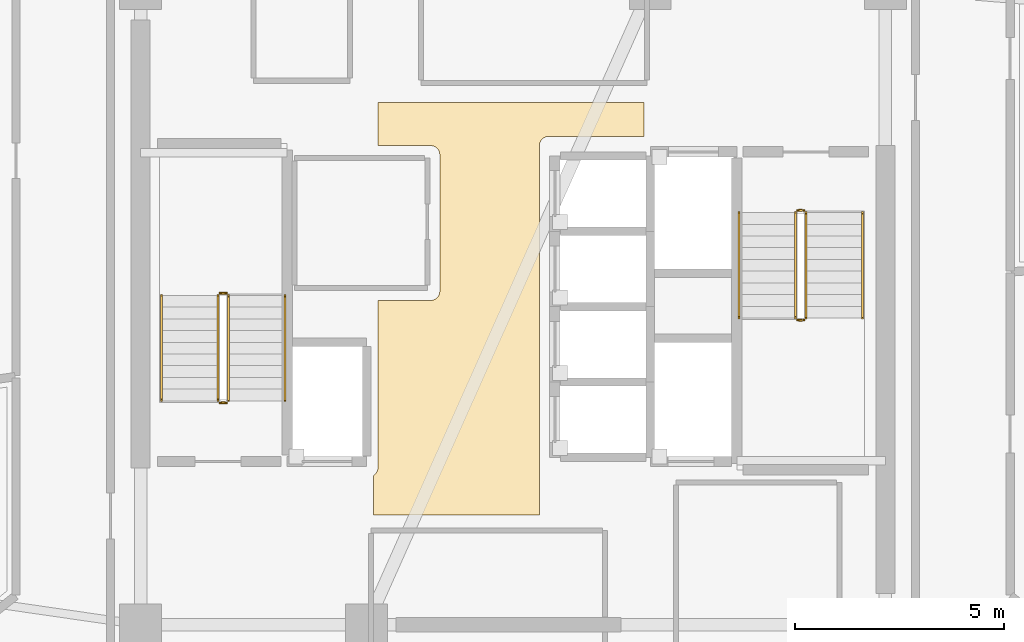
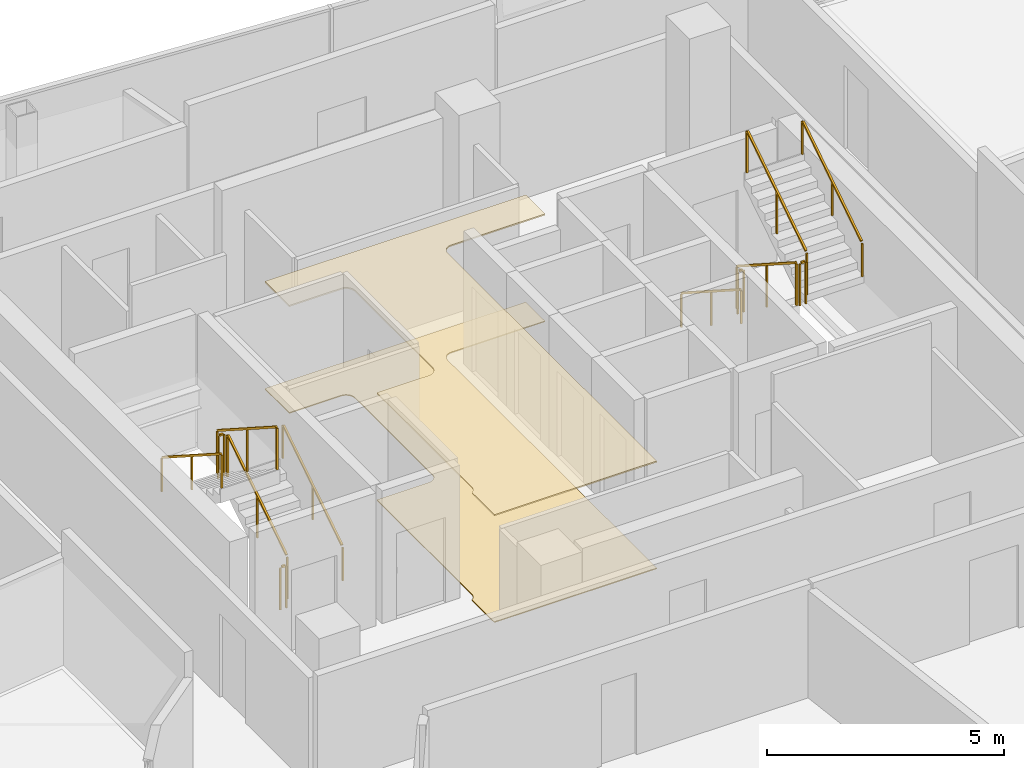
# One storey, part 13 of 14: 12 railings, 2 coverings.
"""IFC4 building model written with IfcOpenShell, lengths in metres."""

import ifcopenshell
import ifcopenshell.guid

model = None  # the IFC model being written
_history = None  # IfcOwnerHistory: only IFC2X3 demands one
_inside = {}  # id of a spatial element -> (the spatial element, [elements in it])
_under = {}  # id of a project, library or spatial element -> (it, [spatial elements below it])
_declared = {}  # id of a project -> (the project, [libraries it declares])
_typed = {}  # id of a type object -> (the type object, [elements of that type])
_made_of = {}  # id of a material, layer set ... -> (it, [elements and type objects made of it])


def new_model(schema):
    """Start an empty IFC model of exactly this schema.

    Asked for "IFC4X3", IfcOpenShell would pick the latest addendum, in which some entities
    have other attributes; the version numbers below select the first issue.
    IFC2X3 requires an IfcOwnerHistory on every rooted entity: one is made here for all.
    """
    global model, _history
    if schema == "IFC4X3":
        model = ifcopenshell.file(schema_version=(4, 3, 0, 0))
    else:
        model = ifcopenshell.file(schema=schema)
    _inside.clear()
    _under.clear()
    _declared.clear()
    _typed.clear()
    _made_of.clear()
    _history = None
    if model.schema == "IFC2X3":
        org = make("IfcOrganization", Name="unknown")
        user = make(
            "IfcPersonAndOrganization",
            ThePerson=make("IfcPerson", FamilyName="unknown"),
            TheOrganization=org,
        )
        app = make(
            "IfcApplication",
            ApplicationDeveloper=org,
            Version="unknown",
            ApplicationFullName="unknown",
            ApplicationIdentifier="unknown",
        )
        _history = make(
            "IfcOwnerHistory",
            OwningUser=user,
            OwningApplication=app,
            ChangeAction="ADDED",
            CreationDate=0,
        )
    return model


def make(cls, **values):
    """One entity of the class cls with the attributes given. An attribute that is None is left unset."""
    return model.create_entity(
        cls, **{name: value for name, value in values.items() if value is not None}
    )


def rooted(cls, **values):
    """An entity with a GlobalId (a new one), such as an element, a storey or a relation."""
    return make(cls, GlobalId=ifcopenshell.guid.new(), OwnerHistory=_history, **values)


def si_unit(unit_type, name, prefix=None):
    """IfcSIUnit, for example si_unit("LENGTHUNIT", "METRE", prefix="MILLI")."""
    return make("IfcSIUnit", UnitType=unit_type, Prefix=prefix, Name=name)


def assignment(units):
    """IfcUnitAssignment: the units of a project."""
    return None if units is None else make("IfcUnitAssignment", Units=units)


def point(xyz):
    """IfcCartesianPoint."""
    return None if xyz is None else make("IfcCartesianPoint", Coordinates=xyz)


def direction(xyz):
    """IfcDirection."""
    return None if xyz is None else make("IfcDirection", DirectionRatios=xyz)


def frame(location, z_axis=None, x_axis=None):
    """IfcAxis2Placement3D, a coordinate frame: its origin and axes. An axis left out is left unset."""
    return make(
        "IfcAxis2Placement3D",
        Location=point(location),
        Axis=direction(z_axis),
        RefDirection=direction(x_axis),
    )


def frame_2d(location, x_axis=None):
    """IfcAxis2Placement2D, a coordinate frame in the plane: its origin and x axis."""
    return make(
        "IfcAxis2Placement2D", Location=point(location), RefDirection=direction(x_axis)
    )


def origin():
    """The frame at (0, 0, 0) with its axes left unset."""
    return frame((0.0, 0.0, 0.0))


def origin_2d():
    """The frame at (0, 0) in the plane with its x axis left unset."""
    return frame_2d((0.0, 0.0))


def place(relative_to, where):
    """IfcLocalPlacement: puts the frame where relative to a parent placement (None: the world)."""
    return make(
        "IfcLocalPlacement", PlacementRelTo=relative_to, RelativePlacement=where
    )


def context(
    kind, dimensions, precision=None, world=None, true_north=None, identifier=None
):
    """IfcGeometricRepresentationContext, for example the 3D "Model" context."""
    return make(
        "IfcGeometricRepresentationContext",
        ContextIdentifier=identifier,
        ContextType=kind,
        CoordinateSpaceDimension=dimensions,
        Precision=precision,
        WorldCoordinateSystem=world,
        TrueNorth=true_north,
    )


def subcontext(parent, identifier, kind, view, scale=None):
    """IfcGeometricRepresentationSubContext, for example "Body" below "Model"."""
    return make(
        "IfcGeometricRepresentationSubContext",
        ContextIdentifier=identifier,
        ContextType=kind,
        ParentContext=parent,
        TargetScale=scale,
        TargetView=view,
    )


def project(units=None, contexts=None):
    """IfcProject with its units and contexts."""
    return rooted(
        "IfcProject",
        Name="project",
        RepresentationContexts=contexts,
        UnitsInContext=assignment(units),
    )


def spatial(cls, under=None, at=None, **own):
    """A site, building, storey or space (cls), placed at a placement, below another one or the project."""
    s = rooted(cls, ObjectPlacement=at, **own)
    if under is not None:
        _under.setdefault(under.id(), (under, []))[1].append(s)
    return s


def polyline(points):
    """IfcPolyline through the points."""
    return make("IfcPolyline", Points=[point(p) for p in points])


def profile(cls, at=None, kind="AREA", **sizes):
    """A parametric profile (cls). Its sizes go by their IFC names, for example OverallWidth=200.0."""
    return make(cls, ProfileType=kind, Position=at, **sizes)


def rectangle(**sizes):
    """IfcRectangleProfileDef."""
    return profile("IfcRectangleProfileDef", **sizes)


def outline(outer, holes=None, kind="AREA"):
    """IfcArbitraryClosedProfileDef: a profile drawn as a closed curve; with holes, ...WithVoids."""
    if holes is None:
        return make("IfcArbitraryClosedProfileDef", ProfileType=kind, OuterCurve=outer)
    return make(
        "IfcArbitraryProfileDefWithVoids",
        ProfileType=kind,
        OuterCurve=outer,
        InnerCurves=holes,
    )


def extrude(swept, where, along, depth):
    """IfcExtrudedAreaSolid: the profile swept, set in the frame where, extruded along a direction by depth."""
    return make(
        "IfcExtrudedAreaSolid",
        SweptArea=swept,
        Position=where,
        ExtrudedDirection=direction(along),
        Depth=depth,
    )


def shape(context_of_items, identifier, shape_type, items):
    """IfcShapeRepresentation: the items that make up one representation, for example the "Body"."""
    return make(
        "IfcShapeRepresentation",
        ContextOfItems=context_of_items,
        RepresentationIdentifier=identifier,
        RepresentationType=shape_type,
        Items=items,
    )


def material(Name=None, Category=None):
    """IfcMaterial."""
    return make("IfcMaterial", Name=Name, Category=Category)


def layer(
    of_material, thickness, ventilated=None, Name=None, Category=None, Priority=None
):
    """IfcMaterialLayer: one layer of a wall or slab, of a material (None: an air gap)."""
    return make(
        "IfcMaterialLayer",
        Material=of_material,
        LayerThickness=thickness,
        IsVentilated=ventilated,
        Name=Name,
        Category=Category,
        Priority=Priority,
    )


def layer_set(layers, Name=None):
    """IfcMaterialLayerSet."""
    return make("IfcMaterialLayerSet", MaterialLayers=layers, LayerSetName=Name)


def made_of(thing, what):
    """Note that an element or type object is made of a material, layer set ...; save() writes the relation."""
    if what is not None:
        _made_of.setdefault(what.id(), (what, []))[1].append(thing)
    return thing


def type_object(cls, material=None, **own):
    """A type object (cls), such as IfcWallType, which elements share."""
    return made_of(rooted(cls, **own), material)


def element(
    cls,
    number,
    at=None,
    inside=None,
    cuts=None,
    type_object=None,
    material=None,
    context=None,
    identifier="Body",
    shape_type=None,
    held_by="IfcProductDefinitionShape",
    body=None,
    shapes=None,
    **own,
):
    """One element of the class cls, such as IfcWall. Its Tag is "e" and its number.

    at: its placement. inside: the storey or other place that contains it. cuts: it is an
    opening in that element (IfcRelVoidsElement). A single representation is given by context,
    identifier, shape_type and body (its items); several are given by shapes. held_by: the class
    of the entity that holds the representations. save() writes the other relations.
    """
    e = rooted(cls, Tag="e%d" % number, ObjectPlacement=at, **own)
    if body is not None:
        shapes = [shape(context, identifier, shape_type, body)]
    if shapes is not None:
        e.Representation = make(held_by, Representations=shapes)
    if inside is not None:
        _inside.setdefault(inside.id(), (inside, []))[1].append(e)
    if cuts is not None:
        rooted(
            "IfcRelVoidsElement", RelatingBuildingElement=cuts, RelatedOpeningElement=e
        )
    if type_object is not None:
        _typed.setdefault(type_object.id(), (type_object, []))[1].append(e)
    return made_of(e, material)


def aggregate(whole, parts):
    """IfcRelAggregates: a whole, such as a stair, and the parts it consists of."""
    return rooted("IfcRelAggregates", RelatingObject=whole, RelatedObjects=parts)


def save(model, path):
    """Write the relations noted so far, then the file.

    IfcRelAggregates (storeys below a building ...), IfcRelContainedInSpatialStructure (elements
    in a storey), IfcRelDefinesByType, IfcRelAssociatesMaterial and IfcRelDeclares: one each for
    every whole, place, type object, material and project.
    """
    for whole, parts in _under.values():
        aggregate(whole, parts)
    for where, things in _inside.values():
        rooted(
            "IfcRelContainedInSpatialStructure",
            RelatedElements=things,
            RelatingStructure=where,
        )
    for kind, things in _typed.values():
        rooted("IfcRelDefinesByType", RelatedObjects=things, RelatingType=kind)
    for what, things in _made_of.values():
        rooted("IfcRelAssociatesMaterial", RelatedObjects=things, RelatingMaterial=what)
    for by, libraries in _declared.values():
        rooted("IfcRelDeclares", RelatingContext=by, RelatedDefinitions=libraries)
    model.write(path)


model = new_model("IFC4")

# Units and contexts
model_context = context("Model", 3, precision=1e-05, world=origin(), true_north=direction((0.0, 1.0)))
body_context = subcontext(model_context, "Body", "Model", "MODEL_VIEW")
ifc_project = project(units=[si_unit("LENGTHUNIT", "METRE"), si_unit("AREAUNIT", "SQUARE_METRE"), si_unit("VOLUMEUNIT", "CUBIC_METRE"), si_unit("PLANEANGLEUNIT", "RADIAN"), si_unit("MASSUNIT", "GRAM", prefix="KILO")], contexts=[model_context])

# Site, building, storey
site_placement = place(None, origin())
site = spatial("IfcSite", under=ifc_project, at=site_placement, CompositionType="ELEMENT")
building_placement = place(site_placement, origin())
building = spatial("IfcBuilding", under=site, at=building_placement, Name="Tharavind Bronze Gate", CompositionType="ELEMENT")
storey_placement = place(building_placement, frame((0.0, 0.0, 245.050048828125)))
storey = spatial("IfcBuildingStorey", under=building, at=storey_placement, Name="L63", CompositionType="ELEMENT", Elevation=245.050048828125)

# Coverings
ifc_material_1 = material(Name="Perforated Bronze Acoustic Panel", Category="bronze")
ifc_layer_1 = layer(ifc_material_1, 0.044921875)
ifc_layer_set_1 = layer_set([ifc_layer_1], Name="Perforated Bronze Acoustic Panel")
covering_type_1 = type_object("IfcCoveringType", Name="ACOUSTIC BRONZE BAFFLE CEILING", PredefinedType="CEILING", material=ifc_layer_set_1)
covering_1_placement = place(storey_placement, frame((0.0, 0.0, 2.75)))
element("IfcCovering", 1, at=covering_1_placement, inside=storey, type_object=covering_type_1, Name="L63-C-LL suspended ceiling", PredefinedType="CEILING", context=body_context, shape_type="SweptSolid", body=[
    extrude(outline(polyline([(-3.330078125, -4.97998046875), (0.6298828125, -4.97998046875), (0.6298828125, 3.85009765625), (0.631103515625, 3.87158203125), (0.63427734375, 3.892822265625), (0.639404296875, 3.913818359375), (0.646728515625, 3.93408203125), (0.656005859375, 3.95361328125), (0.6669921875, 3.97216796875), (0.679931640625, 3.989501953125), (0.6943359375, 4.005615234375), (0.71044921875, 4.02001953125), (0.727783203125, 4.032958984375), (0.746337890625, 4.0439453125), (0.765869140625, 4.05322265625), (0.7861328125, 4.060546875), (0.80712890625, 4.06591796875), (0.828369140625, 4.06884765625), (0.85009765625, 4.070068359375), (3.1298828125, 4.070068359375), (3.1298828125, 4.8798828125), (-3.22998046875, 4.8798828125), (-3.22998046875, 3.85009765625), (-1.969970703125, 3.85009765625), (-1.948486328125, 3.848876953125), (-1.927001953125, 3.845703125), (-1.906005859375, 3.840576171875), (-1.8857421875, 3.833251953125), (-1.8662109375, 3.823974609375), (-1.847900390625, 3.81298828125), (-1.830322265625, 3.800048828125), (-1.814453125, 3.78564453125), (-1.7998046875, 3.76953125), (-1.787109375, 3.752197265625), (-1.77587890625, 3.733642578125), (-1.7666015625, 3.714111328125), (-1.759521484375, 3.69384765625), (-1.754150390625, 3.6728515625), (-1.751220703125, 3.651611328125), (-1.75, 3.6298828125), (-1.75, 0.3701171875), (-1.751220703125, 0.348388671875), (-1.754150390625, 0.3271484375), (-1.759521484375, 0.30615234375), (-1.7666015625, 0.285888671875), (-1.77587890625, 0.266357421875), (-1.787109375, 0.247802734375), (-1.7998046875, 0.23046875), (-1.814453125, 0.21435546875), (-1.830322265625, 0.199951171875), (-1.847900390625, 0.18701171875), (-1.8662109375, 0.176025390625), (-1.8857421875, 0.166748046875), (-1.906005859375, 0.159423828125), (-1.927001953125, 0.154296875), (-1.948486328125, 0.151123046875), (-1.969970703125, 0.14990234375), (-3.22998046875, 0.14990234375), (-3.22998046875, -3.85009765625), (-3.231201171875, -3.87158203125), (-3.234130859375, -3.892822265625), (-3.239501953125, -3.913818359375), (-3.24658203125, -3.93408203125), (-3.256103515625, -3.95361328125), (-3.26708984375, -3.97216796875), (-3.27978515625, -3.989501953125), (-3.29443359375, -4.005615234375), (-3.310302734375, -4.02001953125), (-3.327880859375, -4.032958984375), (-3.330078125, -4.0341796875), (-3.330078125, -4.97998046875)])), origin(), (0.0, 0.0, 1.0), 0.034912109375),
])
ifc_material_2 = material(Name="Honed Travertine Limestone", Category="masonry")
ifc_layer_2 = layer(ifc_material_2, 0.030029296875)
ifc_layer_set_2 = layer_set([ifc_layer_2], Name="Honed Travertine Limestone")
covering_type_2 = type_object("IfcCoveringType", Name="HONED LIMESTONE FLOORING", PredefinedType="FLOORING", material=ifc_layer_set_2)
covering_2_placement = place(storey_placement, origin())
element("IfcCovering", 2, at=covering_2_placement, inside=storey, type_object=covering_type_2, Name="L63-C-LL floor finish", PredefinedType="FLOORING", context=body_context, shape_type="SweptSolid", body=[
    extrude(outline(polyline([(-3.330078125, -4.97998046875), (0.6298828125, -4.97998046875), (0.6298828125, 3.85009765625), (0.631103515625, 3.87158203125), (0.63427734375, 3.892822265625), (0.639404296875, 3.913818359375), (0.646728515625, 3.93408203125), (0.656005859375, 3.95361328125), (0.6669921875, 3.97216796875), (0.679931640625, 3.989501953125), (0.6943359375, 4.005615234375), (0.71044921875, 4.02001953125), (0.727783203125, 4.032958984375), (0.746337890625, 4.0439453125), (0.765869140625, 4.05322265625), (0.7861328125, 4.060546875), (0.80712890625, 4.06591796875), (0.828369140625, 4.06884765625), (0.85009765625, 4.070068359375), (3.1298828125, 4.070068359375), (3.1298828125, 4.8798828125), (-3.22998046875, 4.8798828125), (-3.22998046875, 3.85009765625), (-1.969970703125, 3.85009765625), (-1.948486328125, 3.848876953125), (-1.927001953125, 3.845703125), (-1.906005859375, 3.840576171875), (-1.8857421875, 3.833251953125), (-1.8662109375, 3.823974609375), (-1.847900390625, 3.81298828125), (-1.830322265625, 3.800048828125), (-1.814453125, 3.78564453125), (-1.7998046875, 3.76953125), (-1.787109375, 3.752197265625), (-1.77587890625, 3.733642578125), (-1.7666015625, 3.714111328125), (-1.759521484375, 3.69384765625), (-1.754150390625, 3.6728515625), (-1.751220703125, 3.651611328125), (-1.75, 3.6298828125), (-1.75, 0.3701171875), (-1.751220703125, 0.348388671875), (-1.754150390625, 0.3271484375), (-1.759521484375, 0.30615234375), (-1.7666015625, 0.285888671875), (-1.77587890625, 0.266357421875), (-1.787109375, 0.247802734375), (-1.7998046875, 0.23046875), (-1.814453125, 0.21435546875), (-1.830322265625, 0.199951171875), (-1.847900390625, 0.18701171875), (-1.8662109375, 0.176025390625), (-1.8857421875, 0.166748046875), (-1.906005859375, 0.159423828125), (-1.927001953125, 0.154296875), (-1.948486328125, 0.151123046875), (-1.969970703125, 0.14990234375), (-3.22998046875, 0.14990234375), (-3.22998046875, -3.85009765625), (-3.231201171875, -3.87158203125), (-3.234130859375, -3.892822265625), (-3.239501953125, -3.913818359375), (-3.24658203125, -3.93408203125), (-3.256103515625, -3.95361328125), (-3.26708984375, -3.97216796875), (-3.27978515625, -3.989501953125), (-3.29443359375, -4.005615234375), (-3.310302734375, -4.02001953125), (-3.327880859375, -4.032958984375), (-3.330078125, -4.0341796875), (-3.330078125, -4.97998046875)])), origin(), (0.0, 0.0, 1.0), 0.02490234375),
])

# Railings
ifc_material_3 = material(Name="Brushed Bronze Alloy", Category="metal")
railing_type_1 = type_object("IfcRailingType", Name="STAIR BRONZE HANDRAIL 900", PredefinedType="HANDRAIL", material=ifc_material_3)
railing_1_placement = place(storey_placement, frame((-5.449951171875, -2.25, 0.179931640625)))
element("IfcRailing", 3, at=railing_1_placement, inside=storey, type_object=railing_type_1, Name="L63 ST1 stair handrail 1", PredefinedType="HANDRAIL", context=body_context, shape_type="SweptSolid", body=[
    extrude(rectangle(XDim=0.048095703125, YDim=0.048095703125, at=origin_2d()), frame((0.0, 0.02685546875, 0.89306640625), z_axis=(0.0, 0.841162588446, 0.540782303519), x_axis=(-1.0, 0.0, 0.0)), (0.0, 0.0, 1.0), 2.931884765625),
    extrude(rectangle(XDim=0.0400390625, YDim=0.0400390625, at=origin_2d()), origin(), (0.0, 0.0, 1.0), 0.847900390625),
    extrude(rectangle(XDim=0.0400390625, YDim=0.0400390625, at=origin_2d()), frame((0.0, 1.260009765625, 0.81005859375)), (0.0, 0.0, 1.0), 0.847900390625),
    extrude(rectangle(XDim=0.0400390625, YDim=0.0400390625, at=origin_2d()), frame((0.0, 2.52001953125, 1.6201171875)), (0.0, 0.0, 1.0), 0.847900390625),
])
railing_2_placement = place(storey_placement, frame((-8.39990234375, 0.27001953125, 1.97998046875)))
element("IfcRailing", 4, at=railing_2_placement, inside=storey, type_object=railing_type_1, Name="L63 ST1 stair handrail 2", PredefinedType="HANDRAIL", context=body_context, shape_type="SweptSolid", body=[
    extrude(rectangle(XDim=0.048095703125, YDim=0.048095703125, at=origin_2d()), frame((0.0, -0.02685546875, 0.89306640625), z_axis=(0.0, -0.841199657755, 0.540724639528), x_axis=(1.0, 0.0, 0.0)), (0.0, 0.0, 1.0), 2.931640625),
    extrude(rectangle(XDim=0.0400390625, YDim=0.0400390625, at=origin_2d()), origin(), (0.0, 0.0, 1.0), 0.847900390625),
    extrude(rectangle(XDim=0.0400390625, YDim=0.0400390625, at=origin_2d()), frame((0.0, -1.260009765625, 0.81005859375)), (0.0, 0.0, 1.0), 0.847900390625),
    extrude(rectangle(XDim=0.0400390625, YDim=0.0400390625, at=origin_2d()), frame((0.0, -2.52001953125, 1.619873046875)), (0.0, 0.0, 1.0), 0.847900390625),
])
railing_3_placement = place(storey_placement, frame((5.39990234375, 2.25, 0.179931640625)))
element("IfcRailing", 5, at=railing_3_placement, inside=storey, type_object=railing_type_1, Name="L63 ST2 stair handrail 1", PredefinedType="HANDRAIL", context=body_context, shape_type="SweptSolid", body=[
    extrude(rectangle(XDim=0.048095703125, YDim=0.048095703125, at=origin_2d()), frame((0.0, -0.02685546875, 0.89306640625), z_axis=(0.0, -0.841162588446, 0.540782303519), x_axis=(1.0, 0.0, 0.0)), (0.0, 0.0, 1.0), 2.931884765625),
    extrude(rectangle(XDim=0.0400390625, YDim=0.0400390625, at=origin_2d()), origin(), (0.0, 0.0, 1.0), 0.847900390625),
    extrude(rectangle(XDim=0.0400390625, YDim=0.0400390625, at=origin_2d()), frame((0.0, -1.260009765625, 0.81005859375)), (0.0, 0.0, 1.0), 0.847900390625),
    extrude(rectangle(XDim=0.0400390625, YDim=0.0400390625, at=origin_2d()), frame((0.0, -2.52001953125, 1.6201171875)), (0.0, 0.0, 1.0), 0.847900390625),
])
railing_4_placement = place(storey_placement, frame((8.35009765625, -0.27001953125, 1.97998046875)))
element("IfcRailing", 6, at=railing_4_placement, inside=storey, type_object=railing_type_1, Name="L63 ST2 stair handrail 2", PredefinedType="HANDRAIL", context=body_context, shape_type="SweptSolid", body=[
    extrude(rectangle(XDim=0.048095703125, YDim=0.048095703125, at=origin_2d()), frame((0.0, 0.02685546875, 0.89306640625), z_axis=(0.0, 0.841199657755, 0.540724639528), x_axis=(-1.0, 0.0, 0.0)), (0.0, 0.0, 1.0), 2.931640625),
    extrude(rectangle(XDim=0.0400390625, YDim=0.0400390625, at=origin_2d()), origin(), (0.0, 0.0, 1.0), 0.847900390625),
    extrude(rectangle(XDim=0.0400390625, YDim=0.0400390625, at=origin_2d()), frame((0.0, 1.260009765625, 0.81005859375)), (0.0, 0.0, 1.0), 0.847900390625),
    extrude(rectangle(XDim=0.0400390625, YDim=0.0400390625, at=origin_2d()), frame((0.0, 2.52001953125, 1.619873046875)), (0.0, 0.0, 1.0), 0.847900390625),
])
railing_type_2 = type_object("IfcRailingType", Name="STAIR WELL GUARD RAILING 1120", PredefinedType="GUARDRAIL", material=ifc_material_3)
railing_5_placement = place(storey_placement, frame((-6.800048828125, -2.25, 0.179931640625)))
element("IfcRailing", 7, at=railing_5_placement, inside=storey, type_object=railing_type_2, Name="L63 ST1 stair guard 1", PredefinedType="GUARDRAIL", context=body_context, shape_type="SweptSolid", body=[
    extrude(rectangle(XDim=0.048095703125, YDim=0.048095703125, at=origin_2d()), frame((0.0, 0.02685546875, 1.11328125), z_axis=(0.0, 0.841162588446, 0.540782303519), x_axis=(-1.0, 0.0, 0.0)), (0.0, 0.0, 1.0), 2.931884765625),
    extrude(rectangle(XDim=0.0400390625, YDim=0.0400390625, at=origin_2d()), origin(), (0.0, 0.0, 1.0), 1.068115234375),
    extrude(rectangle(XDim=0.0400390625, YDim=0.0400390625, at=origin_2d()), frame((0.0, 1.260009765625, 0.81005859375)), (0.0, 0.0, 1.0), 1.068115234375),
    extrude(rectangle(XDim=0.0400390625, YDim=0.0400390625, at=origin_2d()), frame((0.0, 2.52001953125, 1.6201171875)), (0.0, 0.0, 1.0), 1.068115234375),
])
railing_6_placement = place(storey_placement, frame((-6.85009765625, 0.320068359375, 1.800048828125)))
element("IfcRailing", 8, at=railing_6_placement, inside=storey, type_object=railing_type_2, Name="L63 ST1 stair guard 2", PredefinedType="GUARDRAIL", context=body_context, shape_type="SweptSolid", body=[
    extrude(rectangle(XDim=0.048095703125, YDim=0.048095703125, at=origin_2d()), frame((-0.031982421875, 0.0, 1.09619140625), z_axis=(-1.0, 0.0, 0.0), x_axis=(0.0, -1.0, 0.0)), (0.0, 0.0, 1.0), 0.0859375),
    extrude(rectangle(XDim=0.0400390625, YDim=0.0400390625, at=origin_2d()), origin(), (0.0, 0.0, 1.0), 1.068115234375),
    extrude(rectangle(XDim=0.0400390625, YDim=0.0400390625, at=origin_2d()), frame((-0.14990234375, 0.0, 0.0)), (0.0, 0.0, 1.0), 1.068115234375),
])
railing_7_placement = place(storey_placement, frame((-7.050048828125, 0.27001953125, 1.97998046875)))
element("IfcRailing", 9, at=railing_7_placement, inside=storey, type_object=railing_type_2, Name="L63 ST1 stair guard 3", PredefinedType="GUARDRAIL", context=body_context, shape_type="SweptSolid", body=[
    extrude(rectangle(XDim=0.048095703125, YDim=0.048095703125, at=origin_2d()), frame((0.0, -0.02685546875, 1.11328125), z_axis=(0.0, -0.841199657755, 0.540724639528), x_axis=(1.0, 0.0, 0.0)), (0.0, 0.0, 1.0), 2.931640625),
    extrude(rectangle(XDim=0.0400390625, YDim=0.0400390625, at=origin_2d()), origin(), (0.0, 0.0, 1.0), 1.068115234375),
    extrude(rectangle(XDim=0.0400390625, YDim=0.0400390625, at=origin_2d()), frame((0.0, -1.260009765625, 0.81005859375)), (0.0, 0.0, 1.0), 1.068115234375),
    extrude(rectangle(XDim=0.0400390625, YDim=0.0400390625, at=origin_2d()), frame((0.0, -2.52001953125, 1.619873046875)), (0.0, 0.0, 1.0), 1.068115234375),
])
railing_8_placement = place(storey_placement, frame((-6.85009765625, -2.300048828125, 0.0)))
element("IfcRailing", 10, at=railing_8_placement, inside=storey, type_object=railing_type_2, Name="L63 ST1 stair guard 4", PredefinedType="GUARDRAIL", context=body_context, shape_type="SweptSolid", body=[
    extrude(rectangle(XDim=0.048095703125, YDim=0.048095703125, at=origin_2d()), frame((-0.031982421875, 0.0, 1.09619140625), z_axis=(-1.0, 0.0, 0.0), x_axis=(0.0, -1.0, 0.0)), (0.0, 0.0, 1.0), 0.0859375),
    extrude(rectangle(XDim=0.0400390625, YDim=0.0400390625, at=origin_2d()), origin(), (0.0, 0.0, 1.0), 1.068115234375),
    extrude(rectangle(XDim=0.0400390625, YDim=0.0400390625, at=origin_2d()), frame((-0.14990234375, 0.0, 0.0)), (0.0, 0.0, 1.0), 1.068115234375),
])
railing_9_placement = place(storey_placement, frame((6.75, 2.25, 0.179931640625)))
element("IfcRailing", 11, at=railing_9_placement, inside=storey, type_object=railing_type_2, Name="L63 ST2 stair guard 1", PredefinedType="GUARDRAIL", context=body_context, shape_type="SweptSolid", body=[
    extrude(rectangle(XDim=0.048095703125, YDim=0.048095703125, at=origin_2d()), frame((0.0, -0.02685546875, 1.11328125), z_axis=(0.0, -0.841162588446, 0.540782303519), x_axis=(1.0, 0.0, 0.0)), (0.0, 0.0, 1.0), 2.931884765625),
    extrude(rectangle(XDim=0.0400390625, YDim=0.0400390625, at=origin_2d()), origin(), (0.0, 0.0, 1.0), 1.068115234375),
    extrude(rectangle(XDim=0.0400390625, YDim=0.0400390625, at=origin_2d()), frame((0.0, -1.260009765625, 0.81005859375)), (0.0, 0.0, 1.0), 1.068115234375),
    extrude(rectangle(XDim=0.0400390625, YDim=0.0400390625, at=origin_2d()), frame((0.0, -2.52001953125, 1.6201171875)), (0.0, 0.0, 1.0), 1.068115234375),
])
railing_10_placement = place(storey_placement, frame((6.800048828125, -0.320068359375, 1.800048828125)))
element("IfcRailing", 12, at=railing_10_placement, inside=storey, type_object=railing_type_2, Name="L63 ST2 stair guard 2", PredefinedType="GUARDRAIL", context=body_context, shape_type="SweptSolid", body=[
    extrude(rectangle(XDim=0.048095703125, YDim=0.048095703125, at=origin_2d()), frame((0.031982421875, 0.0, 1.09619140625), z_axis=(1.0, 0.0, 0.0), x_axis=(0.0, 1.0, 0.0)), (0.0, 0.0, 1.0), 0.0859375),
    extrude(rectangle(XDim=0.0400390625, YDim=0.0400390625, at=origin_2d()), origin(), (0.0, 0.0, 1.0), 1.068115234375),
    extrude(rectangle(XDim=0.0400390625, YDim=0.0400390625, at=origin_2d()), frame((0.14990234375, 0.0, 0.0)), (0.0, 0.0, 1.0), 1.068115234375),
])
railing_11_placement = place(storey_placement, frame((7.0, -0.27001953125, 1.97998046875)))
element("IfcRailing", 13, at=railing_11_placement, inside=storey, type_object=railing_type_2, Name="L63 ST2 stair guard 3", PredefinedType="GUARDRAIL", context=body_context, shape_type="SweptSolid", body=[
    extrude(rectangle(XDim=0.048095703125, YDim=0.048095703125, at=origin_2d()), frame((0.0, 0.02685546875, 1.11328125), z_axis=(0.0, 0.841199657755, 0.540724639528), x_axis=(-1.0, 0.0, 0.0)), (0.0, 0.0, 1.0), 2.931640625),
    extrude(rectangle(XDim=0.0400390625, YDim=0.0400390625, at=origin_2d()), origin(), (0.0, 0.0, 1.0), 1.068115234375),
    extrude(rectangle(XDim=0.0400390625, YDim=0.0400390625, at=origin_2d()), frame((0.0, 1.260009765625, 0.81005859375)), (0.0, 0.0, 1.0), 1.068115234375),
    extrude(rectangle(XDim=0.0400390625, YDim=0.0400390625, at=origin_2d()), frame((0.0, 2.52001953125, 1.619873046875)), (0.0, 0.0, 1.0), 1.068115234375),
])
railing_12_placement = place(storey_placement, frame((6.800048828125, 2.300048828125, 0.0)))
element("IfcRailing", 14, at=railing_12_placement, inside=storey, type_object=railing_type_2, Name="L63 ST2 stair guard 4", PredefinedType="GUARDRAIL", context=body_context, shape_type="SweptSolid", body=[
    extrude(rectangle(XDim=0.048095703125, YDim=0.048095703125, at=origin_2d()), frame((0.031982421875, 0.0, 1.09619140625), z_axis=(1.0, 0.0, 0.0), x_axis=(0.0, 1.0, 0.0)), (0.0, 0.0, 1.0), 0.0859375),
    extrude(rectangle(XDim=0.0400390625, YDim=0.0400390625, at=origin_2d()), origin(), (0.0, 0.0, 1.0), 1.068115234375),
    extrude(rectangle(XDim=0.0400390625, YDim=0.0400390625, at=origin_2d()), frame((0.14990234375, 0.0, 0.0)), (0.0, 0.0, 1.0), 1.068115234375),
])

save(model, "model.ifc")
